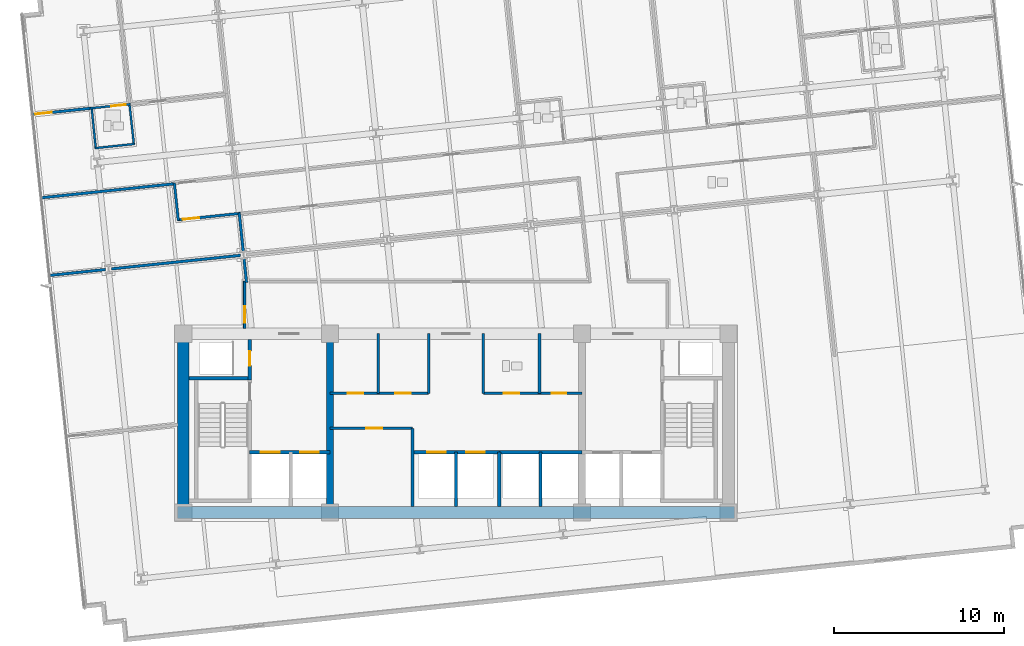
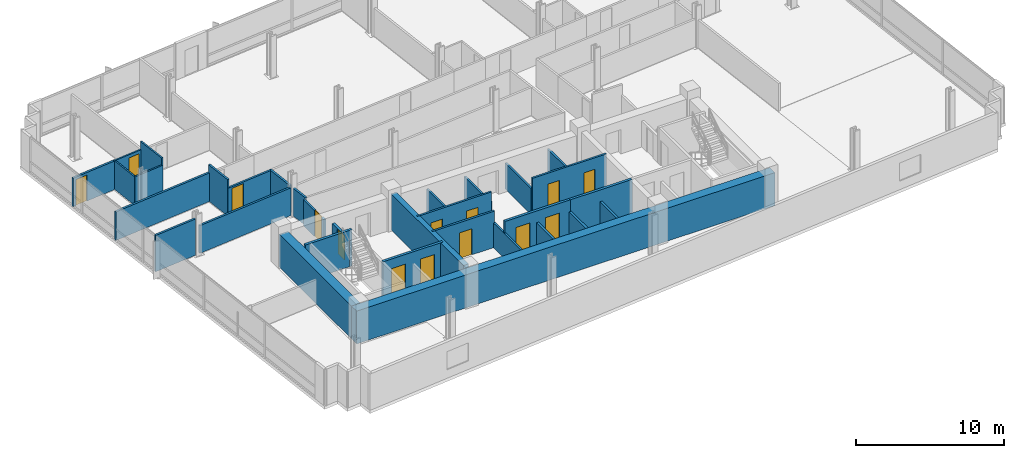
# One storey, part 10 of 18: 32 walls, 14 doors, 14 openings.
"""IFC4 building model written with IfcOpenShell, lengths in metres."""

from ifc_helpers import new_model, si_unit, direction, frame, frame_2d, origin, place, context, subcontext, project, spatial, rectangle, extrude, material, layer, layer_set, type_object, element, fill, save


model = new_model("IFC4")

# Units and contexts
model_context = context("Model", 3, precision=1e-05, world=origin(), true_north=direction((0.0, 1.0)))
body_context = subcontext(model_context, "Body", "Model", "MODEL_VIEW")
ifc_project = project(units=[si_unit("LENGTHUNIT", "METRE"), si_unit("AREAUNIT", "SQUARE_METRE"), si_unit("VOLUMEUNIT", "CUBIC_METRE"), si_unit("PLANEANGLEUNIT", "RADIAN"), si_unit("MASSUNIT", "GRAM", prefix="KILO")], contexts=[model_context])

# Site, building, storey
site_placement = place(None, origin())
site = spatial("IfcSite", under=ifc_project, at=site_placement, CompositionType="ELEMENT")
building_placement = place(site_placement, origin())
building = spatial("IfcBuilding", under=site, at=building_placement, Name="Solmavex Isthmus Hotel", CompositionType="ELEMENT")
storey_placement = place(building_placement, frame((0.0, 0.0, 127.050048828125)))
storey = spatial("IfcBuildingStorey", under=building, at=storey_placement, Name="L34", CompositionType="ELEMENT", Elevation=127.050048828125)

# Wall, opening, door
ifc_material_1 = material(Name="Gypsum plasterboard lining", Category="gypsum")
ifc_layer_1 = layer(ifc_material_1, 0.159912109375)
ifc_layer_set_1 = layer_set([ifc_layer_1], Name="Gypsum plasterboard lining")
wall_type_1 = type_object("IfcWallType", Name="IW-COMP-160", PredefinedType="PARTITIONING", material=ifc_layer_set_1)
wall_1_placement = place(storey_placement, frame((-7.39990234375, -8.050048828125, 0.0), z_axis=(0.0, 0.0, 1.0), x_axis=(1.0, 0.0, 0.0)))
wall_1 = element("IfcWall", 1, at=wall_1_placement, inside=storey, type_object=wall_type_1, Name="Interior Partition Wall W-L34-REC-PLL-N", PredefinedType="PARTITIONING", context=body_context, shape_type="SweptSolid", body=[
    extrude(rectangle(XDim=4.849853515625, YDim=0.159912109375, at=frame_2d((2.4248046875, 0.0))), origin(), (0.0, 0.0, 1.0), 3.0),
])
opening_1_placement = place(wall_1_placement, frame((2.125, 0.0, 0.0)))
opening_1 = element("IfcOpeningElement", 2, at=opening_1_placement, cuts=wall_1, Name="Opening ID-C095", PredefinedType="OPENING", context=body_context, shape_type="SweptSolid", body=[
    extrude(rectangle(XDim=0.949951171875, YDim=2.14990234375, at=frame_2d((0.47509765625, 1.074951171875))), frame((0.0, 0.08984375, 0.0), z_axis=(0.0, -1.0, 0.0), x_axis=(1.0, 0.0, 0.0)), (0.0, 0.0, 1.0), 0.179931640625),
])
ifc_material_2 = material(Name="Hardwood timber", Category="wood")
door_type_1 = type_object("IfcDoorType", Name="IDR-FD60-0950", OperationType="NOTDEFINED", PredefinedType="DOOR", material=ifc_material_2)
door_1_placement = place(opening_1_placement, origin())
door_1 = element("IfcDoor", 3, at=door_1_placement, inside=storey, type_object=door_type_1, Name="Linen Reserve Door L34", OperationType="SINGLE_SWING_LEFT", OverallHeight=2.14990234375, OverallWidth=0.949951171875, PredefinedType="DOOR", context=body_context, shape_type="SweptSolid", body=[
    extrude(rectangle(XDim=0.949951171875, YDim=2.14990234375, at=frame_2d((0.47509765625, 1.074951171875))), frame((0.0, 0.02490234375, 0.0), z_axis=(0.0, -1.0, 0.0), x_axis=(1.0, 0.0, 0.0)), (0.0, 0.0, 1.0), 0.050048828125),
])
fill(opening_1, door_1)

# Wall
wall_2_placement = place(storey_placement, frame((-2.550048828125, -12.64990234375, 0.0), z_axis=(0.0, 0.0, 1.0), x_axis=(0.0, 1.0, 0.0)))
element("IfcWall", 4, at=wall_2_placement, inside=storey, type_object=wall_type_1, Name="Interior Partition Wall W-L34-REC-PLL-E", PredefinedType="PARTITIONING", context=body_context, shape_type="SweptSolid", body=[
    extrude(rectangle(XDim=4.599853515625, YDim=0.159912109375, at=frame_2d((2.2998046875, 0.0))), origin(), (0.0, 0.0, 1.0), 2.034912109375),
])

# Wall, opening, door
wall_3_placement = place(storey_placement, frame((-24.876708984375, 10.36376953125, 0.0), z_axis=(0.0, 0.0, 1.0), x_axis=(0.994521206634, 0.104535015934, 0.0)))
wall_3 = element("IfcWall", 5, at=wall_3_placement, inside=storey, type_object=wall_type_1, Name="Interior Partition Wall W-L34-P022", PredefinedType="PARTITIONING", context=body_context, shape_type="SweptSolid", body=[
    extrude(rectangle(XDim=3.56396484375, YDim=0.159912109375, at=frame_2d((1.781982421875, 0.0))), origin(), (0.0, 0.0, 1.0), 2.363037109375),
])
opening_2_placement = place(wall_3_placement, frame((0.2099609375, 0.0, 0.0)))
opening_2 = element("IfcOpeningElement", 6, at=opening_2_placement, cuts=wall_3, Name="Opening ID-C095", PredefinedType="OPENING", context=body_context, shape_type="SweptSolid", body=[
    extrude(rectangle(XDim=0.949951171875, YDim=2.14990234375, at=frame_2d((0.47509765625, 1.074951171875))), frame((0.0, 0.08984375, 0.0), z_axis=(0.0, -1.0, 0.0), x_axis=(1.0, 0.0, 0.0)), (0.0, 0.0, 1.0), 0.179931640625),
])
door_2_placement = place(opening_2_placement, origin())
door_2 = element("IfcDoor", 7, at=door_2_placement, inside=storey, type_object=door_type_1, Name="Premier Corner Suite Bedroom Door L34-02", OperationType="SINGLE_SWING_RIGHT", OverallHeight=2.14990234375, OverallWidth=0.949951171875, PredefinedType="DOOR", context=body_context, shape_type="SweptSolid", body=[
    extrude(rectangle(XDim=0.949951171875, YDim=2.14990234375, at=frame_2d((0.47509765625, 1.074951171875))), frame((0.0, 0.02490234375, 0.0), z_axis=(0.0, -1.0, 0.0), x_axis=(1.0, 0.0, 0.0)), (0.0, 0.0, 1.0), 0.050048828125),
])
fill(opening_2, door_2)

# Walls
wall_4_placement = place(storey_placement, frame((-16.47802734375, 6.301513671875, 0.0), z_axis=(0.0, 0.0, 1.0), x_axis=(-0.994519786396, -0.104548526856, 0.0)))
element("IfcWall", 8, at=wall_4_placement, inside=storey, type_object=wall_type_1, Name="Interior Partition Wall W-L34-P029", PredefinedType="PARTITIONING", context=body_context, shape_type="SweptSolid", body=[
    extrude(rectangle(XDim=7.927978515625, YDim=0.159912109375, at=frame_2d((3.9638671875, 0.0))), origin(), (0.0, 0.0, 1.0), 2.363037109375),
])
wall_5_placement = place(storey_placement, frame((-12.718994140625, 4.594970703125, 0.0), z_axis=(0.0, 0.0, 1.0), x_axis=(0.104569435529, -0.994517588157, 0.0)))
element("IfcWall", 9, at=wall_5_placement, inside=storey, type_object=wall_type_1, Name="Interior Partition Wall W-L34-P059", PredefinedType="PARTITIONING", context=body_context, shape_type="SweptSolid", body=[
    extrude(rectangle(XDim=2.313720703125, YDim=0.159912109375, at=frame_2d((1.15673828125, 0.0))), origin(), (0.0, 0.0, 1.0), 2.28955078125),
])
wall_6_placement = place(storey_placement, frame((-20.558349609375, 1.267333984375, 0.0), z_axis=(0.0, 0.0, 1.0), x_axis=(-0.99451904707, -0.10455555946, 0.0)))
element("IfcWall", 10, at=wall_6_placement, inside=storey, type_object=wall_type_1, Name="Interior Partition Wall W-L34-P060", PredefinedType="PARTITIONING", context=body_context, shape_type="SweptSolid", body=[
    extrude(rectangle(XDim=3.34375, YDim=0.159912109375, at=frame_2d((1.671875, 0.0))), origin(), (0.0, 0.0, 1.0), 3.0),
])
wall_7_placement = place(storey_placement, frame((-12.634033203125, 2.10009765625, 0.0), z_axis=(0.0, 0.0, 1.0), x_axis=(-0.994524056968, -0.104507894972, 0.0)))
element("IfcWall", 11, at=wall_7_placement, inside=storey, type_object=wall_type_1, Name="Interior Partition Wall W-L34-P061", PredefinedType="PARTITIONING", context=body_context, shape_type="SweptSolid", body=[
    extrude(rectangle(XDim=7.61572265625, YDim=0.159912109375, at=frame_2d((3.807861328125, 0.0))), origin(), (0.0, 0.0, 1.0), 2.28955078125),
])
wall_8_placement = place(storey_placement, frame((-12.289794921875, 0.51025390625, 0.0), z_axis=(0.0, 0.0, 1.0), x_axis=(-0.104534854339, 0.994521223619, 0.0)))
element("IfcWall", 12, at=wall_8_placement, inside=storey, type_object=wall_type_1, Name="Interior Partition Wall W-L34-P065", PredefinedType="PARTITIONING", context=body_context, shape_type="SweptSolid", body=[
    extrude(rectangle(XDim=1.44091796875, YDim=0.159912109375, at=frame_2d((0.720458984375, 0.0))), origin(), (0.0, 0.0, 1.0), 2.28955078125),
])

# Wall, openings, doors
ifc_layer_2 = layer(ifc_material_1, 0.14990234375)
ifc_layer_set_2 = layer_set([ifc_layer_2], Name="Gypsum plasterboard lining")
wall_type_2 = type_object("IfcWallType", Name="IW-CORR-150", PredefinedType="PARTITIONING", material=ifc_layer_set_2)
wall_9_placement = place(storey_placement, frame((-7.39990234375, -6.0, 0.0), z_axis=(0.0, 0.0, 1.0), x_axis=(1.0, 0.0, 0.0)))
wall_9 = element("IfcWall", 13, at=wall_9_placement, inside=storey, type_object=wall_type_2, Name="Interior Partition Wall W-L34-BOH-WS", PredefinedType="PARTITIONING", context=body_context, shape_type="SweptSolid", body=[
    extrude(rectangle(XDim=5.7998046875, YDim=0.14990234375, at=frame_2d((2.89990234375, 0.0))), origin(), (0.0, 0.0, 1.0), 3.0),
])
opening_3_placement = place(wall_9_placement, frame((1.050048828125, 0.0, 0.0)))
opening_3 = element("IfcOpeningElement", 14, at=opening_3_placement, cuts=wall_9, Name="Opening ID-C090", PredefinedType="OPENING", context=body_context, shape_type="SweptSolid", body=[
    extrude(rectangle(XDim=0.89990234375, YDim=2.10009765625, at=frame_2d((0.449951171875, 1.050048828125))), frame((0.0, 0.0849609375, 0.0), z_axis=(0.0, -1.0, 0.0), x_axis=(1.0, 0.0, 0.0)), (0.0, 0.0, 1.0), 0.169921875),
])
opening_4_placement = place(wall_9_placement, frame((3.85009765625, 0.0, 0.0)))
opening_4 = element("IfcOpeningElement", 15, at=opening_4_placement, cuts=wall_9, Name="Opening ID-C090", PredefinedType="OPENING", context=body_context, shape_type="SweptSolid", body=[
    extrude(rectangle(XDim=0.89990234375, YDim=2.10009765625, at=frame_2d((0.449951171875, 1.050048828125))), frame((0.0, 0.0849609375, 0.0), z_axis=(0.0, -1.0, 0.0), x_axis=(1.0, 0.0, 0.0)), (0.0, 0.0, 1.0), 0.169921875),
])
door_type_2 = type_object("IfcDoorType", Name="IDR-FD60-0900", OperationType="NOTDEFINED", PredefinedType="DOOR", material=ifc_material_2)
door_3_placement = place(opening_3_placement, frame((0.89990234375, 0.0, 0.0), z_axis=(0.0, 0.0, 1.0), x_axis=(-1.0, 0.0, 0.0)))
door_3 = element("IfcDoor", 16, at=door_3_placement, inside=storey, type_object=door_type_2, Name="Linen Room Door L34", OperationType="SINGLE_SWING_LEFT", OverallHeight=2.10009765625, OverallWidth=0.89990234375, PredefinedType="DOOR", context=body_context, shape_type="SweptSolid", body=[
    extrude(rectangle(XDim=0.89990234375, YDim=2.10009765625, at=frame_2d((0.449951171875, 1.050048828125))), frame((0.0, 0.02490234375, 0.0), z_axis=(0.0, -1.0, 0.0), x_axis=(1.0, 0.0, 0.0)), (0.0, 0.0, 1.0), 0.050048828125),
])
fill(opening_3, door_3)
door_4_placement = place(opening_4_placement, frame((0.89990234375, 0.0, 0.0), z_axis=(0.0, 0.0, 1.0), x_axis=(-1.0, 0.0, 0.0)))
door_4 = element("IfcDoor", 17, at=door_4_placement, inside=storey, type_object=door_type_2, Name="Ice Pantry Door L34", OperationType="SINGLE_SWING_RIGHT", OverallHeight=2.10009765625, OverallWidth=0.89990234375, PredefinedType="DOOR", context=body_context, shape_type="SweptSolid", body=[
    extrude(rectangle(XDim=0.89990234375, YDim=2.10009765625, at=frame_2d((0.449951171875, 1.050048828125))), frame((0.0, 0.02490234375, 0.0), z_axis=(0.0, -1.0, 0.0), x_axis=(1.0, 0.0, 0.0)), (0.0, 0.0, 1.0), 0.050048828125),
])
fill(opening_4, door_4)

# Wall
wall_10_placement = place(storey_placement, frame((-1.60009765625, -6.0, 0.0), z_axis=(0.0, 0.0, 1.0), x_axis=(0.0, 1.0, 0.0)))
element("IfcWall", 18, at=wall_10_placement, inside=storey, type_object=wall_type_2, Name="Interior Partition Wall W-L34-BOH-WE", PredefinedType="PARTITIONING", context=body_context, shape_type="SweptSolid", body=[
    extrude(rectangle(XDim=3.5, YDim=0.14990234375, at=frame_2d((1.75, 0.0))), origin(), (0.0, 0.0, 1.0), 2.14501953125),
])

# Wall, openings, doors
wall_11_placement = place(storey_placement, frame((1.60009765625, -6.0, 0.0), z_axis=(0.0, 0.0, 1.0), x_axis=(1.0, 0.0, 0.0)))
wall_11 = element("IfcWall", 19, at=wall_11_placement, inside=storey, type_object=wall_type_2, Name="Interior Partition Wall W-L34-BOH-ES", PredefinedType="PARTITIONING", context=body_context, shape_type="SweptSolid", body=[
    extrude(rectangle(XDim=5.7998046875, YDim=0.14990234375, at=frame_2d((2.89990234375, 0.0))), origin(), (0.0, 0.0, 1.0), 3.0),
])
opening_5_placement = place(wall_11_placement, frame((1.199951171875, 0.0, 0.0)))
opening_5 = element("IfcOpeningElement", 20, at=opening_5_placement, cuts=wall_11, Name="Opening ID-C090", PredefinedType="OPENING", context=body_context, shape_type="SweptSolid", body=[
    extrude(rectangle(XDim=0.89990234375, YDim=2.10009765625, at=frame_2d((0.449951171875, 1.050048828125))), frame((0.0, 0.0849609375, 0.0), z_axis=(0.0, -1.0, 0.0), x_axis=(1.0, 0.0, 0.0)), (0.0, 0.0, 1.0), 0.169921875),
])
opening_6_placement = place(wall_11_placement, frame((4.02490234375, 0.0, 0.0)))
opening_6 = element("IfcOpeningElement", 21, at=opening_6_placement, cuts=wall_11, Name="Opening ID-R085", PredefinedType="OPENING", context=body_context, shape_type="SweptSolid", body=[
    extrude(rectangle(XDim=0.85009765625, YDim=2.050048828125, at=frame_2d((0.425048828125, 1.02490234375))), frame((0.0, 0.0849609375, 0.0), z_axis=(0.0, -1.0, 0.0), x_axis=(1.0, 0.0, 0.0)), (0.0, 0.0, 1.0), 0.169921875),
])
ifc_material_3 = material(Name="Steel ASTM A500 Grade C", Category="steel")
door_type_3 = type_object("IfcDoorType", Name="IDR-FD60-0850", OperationType="NOTDEFINED", PredefinedType="DOOR", material=ifc_material_3)
door_5_placement = place(opening_6_placement, frame((0.85009765625, 0.0, 0.0), z_axis=(0.0, 0.0, 1.0), x_axis=(-1.0, 0.0, 0.0)))
door_5 = element("IfcDoor", 22, at=door_5_placement, inside=storey, type_object=door_type_3, Name="IT Room Door L34", OperationType="SINGLE_SWING_RIGHT", OverallHeight=2.050048828125, OverallWidth=0.85009765625, PredefinedType="DOOR", context=body_context, shape_type="SweptSolid", body=[
    extrude(rectangle(XDim=0.85009765625, YDim=2.050048828125, at=frame_2d((0.425048828125, 1.02490234375))), frame((0.0, 0.02490234375, 0.0), z_axis=(0.0, -1.0, 0.0), x_axis=(1.0, 0.0, 0.0)), (0.0, 0.0, 1.0), 0.050048828125),
])
fill(opening_6, door_5)
door_6_placement = place(opening_5_placement, frame((0.89990234375, 0.0, 0.0), z_axis=(0.0, 0.0, 1.0), x_axis=(-1.0, 0.0, 0.0)))
door_6 = element("IfcDoor", 23, at=door_6_placement, inside=storey, type_object=door_type_2, Name="Staff Restroom Door L34", OperationType="SINGLE_SWING_LEFT", OverallHeight=2.10009765625, OverallWidth=0.89990234375, PredefinedType="DOOR", context=body_context, shape_type="SweptSolid", body=[
    extrude(rectangle(XDim=0.89990234375, YDim=2.10009765625, at=frame_2d((0.449951171875, 1.050048828125))), frame((0.0, 0.02490234375, 0.0), z_axis=(0.0, -1.0, 0.0), x_axis=(1.0, 0.0, 0.0)), (0.0, 0.0, 1.0), 0.050048828125),
])
fill(opening_5, door_6)

# Wall
wall_12_placement = place(storey_placement, frame((1.60009765625, -6.0, 0.0), z_axis=(0.0, 0.0, 1.0), x_axis=(0.0, 1.0, 0.0)))
element("IfcWall", 24, at=wall_12_placement, inside=storey, type_object=wall_type_2, Name="Interior Partition Wall W-L34-BOH-EW", PredefinedType="PARTITIONING", context=body_context, shape_type="SweptSolid", body=[
    extrude(rectangle(XDim=3.5, YDim=0.14990234375, at=frame_2d((1.75, 0.0))), origin(), (0.0, 0.0, 1.0), 2.14501953125),
])

# Wall, opening, door
wall_13_placement = place(storey_placement, frame((-12.63330078125, 4.563720703125, 0.0), z_axis=(0.0, 0.0, 1.0), x_axis=(-0.994525920558, -0.104490159046, 0.0)))
wall_13 = element("IfcWall", 25, at=wall_13_placement, inside=storey, type_object=wall_type_2, Name="Interior Partition Wall W-L34-P010", PredefinedType="PARTITIONING", context=body_context, shape_type="SweptSolid", body=[
    extrude(rectangle(XDim=3.721923828125, YDim=0.14990234375, at=frame_2d((1.86083984375, 0.0))), origin(), (0.0, 0.0, 1.0), 2.28955078125),
])
opening_7_placement = place(wall_13_placement, frame((2.456787109375, 0.0, 0.0)))
opening_7 = element("IfcOpeningElement", 26, at=opening_7_placement, cuts=wall_13, Name="Opening ID-C095", PredefinedType="OPENING", context=body_context, shape_type="SweptSolid", body=[
    extrude(rectangle(XDim=0.949951171875, YDim=2.14990234375, at=frame_2d((0.47509765625, 1.074951171875))), frame((0.0, 0.0849609375, 0.0), z_axis=(0.0, -1.0, 0.0), x_axis=(1.0, 0.0, 0.0)), (0.0, 0.0, 1.0), 0.169921875),
])
door_7_placement = place(opening_7_placement, frame((0.949951171875, 0.0, 0.0), z_axis=(0.0, 0.0, 1.0), x_axis=(-1.0, 0.0, 0.0)))
door_7 = element("IfcDoor", 27, at=door_7_placement, inside=storey, type_object=door_type_1, Name="Wellness Treatment Room Door L34-15", OperationType="SINGLE_SWING_LEFT", OverallHeight=2.14990234375, OverallWidth=0.949951171875, PredefinedType="DOOR", context=body_context, shape_type="SweptSolid", body=[
    extrude(rectangle(XDim=0.949951171875, YDim=2.14990234375, at=frame_2d((0.47509765625, 1.074951171875))), frame((0.0, 0.02490234375, 0.0), z_axis=(0.0, -1.0, 0.0), x_axis=(1.0, 0.0, 0.0)), (0.0, 0.0, 1.0), 0.050048828125),
])
fill(opening_7, door_7)

# Wall
wall_14_placement = place(storey_placement, frame((-16.291015625, 4.13916015625, 0.0), z_axis=(0.0, 0.0, 1.0), x_axis=(-0.104512255544, 0.994523598735, 0.0)))
element("IfcWall", 28, at=wall_14_placement, inside=storey, type_object=wall_type_2, Name="Interior Partition Wall W-L34-P011", PredefinedType="PARTITIONING", context=body_context, shape_type="SweptSolid", body=[
    extrude(rectangle(XDim=2.2099609375, YDim=0.14990234375, at=frame_2d((1.10498046875, 0.0))), origin(), (0.0, 0.0, 1.0), 3.0),
])

# Wall, opening, door
wall_15_placement = place(storey_placement, frame((-12.39990234375, -2.18994140625, 0.0), z_axis=(0.0, 0.0, 1.0), x_axis=(0.0, 1.0, 0.0)))
wall_15 = element("IfcWall", 29, at=wall_15_placement, inside=storey, type_object=wall_type_2, Name="Interior Partition Wall W-L34-P016", PredefinedType="PARTITIONING", context=body_context, shape_type="SweptSolid", body=[
    extrude(rectangle(XDim=2.780029296875, YDim=0.14990234375, at=frame_2d((1.39013671875, 0.0))), origin(), (0.0, 0.0, 1.0), 2.14501953125),
])
opening_8_placement = place(wall_15_placement, frame((0.347900390625, 0.0, 0.0)))
opening_8 = element("IfcOpeningElement", 30, at=opening_8_placement, cuts=wall_15, Name="Opening ID-C095", PredefinedType="OPENING", context=body_context, shape_type="SweptSolid", body=[
    extrude(rectangle(XDim=0.949951171875, YDim=2.14990234375, at=frame_2d((0.47509765625, 1.074951171875))), frame((0.0, 0.0849609375, 0.0), z_axis=(0.0, -1.0, 0.0), x_axis=(1.0, 0.0, 0.0)), (0.0, 0.0, 1.0), 0.169921875),
])
door_8_placement = place(opening_8_placement, frame((0.949951171875, 0.0, 0.0), z_axis=(0.0, 0.0, 1.0), x_axis=(-1.0, 0.0, 0.0)))
door_8 = element("IfcDoor", 31, at=door_8_placement, inside=storey, type_object=door_type_1, Name="Executive Boardroom Door L34-18", OperationType="SINGLE_SWING_RIGHT", OverallHeight=2.14990234375, OverallWidth=0.949951171875, PredefinedType="DOOR", context=body_context, shape_type="SweptSolid", body=[
    extrude(rectangle(XDim=0.949951171875, YDim=2.14990234375, at=frame_2d((0.47509765625, 1.074951171875))), frame((0.0, 0.02490234375, 0.0), z_axis=(0.0, -1.0, 0.0), x_axis=(1.0, 0.0, 0.0)), (0.0, 0.0, 1.0), 0.050048828125),
])
fill(opening_8, door_8)

# Walls
ifc_layer_3 = layer(ifc_material_1, 0.1201171875)
ifc_layer_set_3 = layer_set([ifc_layer_3], Name="Gypsum plasterboard lining")
wall_type_3 = type_object("IfcWallType", Name="IW-PART-120", PredefinedType="PARTITIONING", material=ifc_layer_set_3)
for number, where, z_axis, x_axis, name in (
    (32, (-4.550048828125, -6.0, 0.0), (0.0, 0.0, 1.0), (0.0, 1.0, 0.0), "Interior Partition Wall W-L34-BOH-WM2"),
    (33, (4.89990234375, -6.0, 0.0), (0.0, 0.0, 1.0), (0.0, 1.0, 0.0), "Interior Partition Wall W-L34-BOH-EM2"),
):
    element("IfcWall", number, at=place(storey_placement, frame(where, z_axis=z_axis, x_axis=x_axis)), inside=storey, type_object=wall_type_3, Name=name, PredefinedType="PARTITIONING", context=body_context, shape_type="SweptSolid", body=[
        extrude(rectangle(XDim=3.5, YDim=0.14990234375, at=frame_2d((1.75, 0.0))), origin(), (0.0, 0.0, 1.0), 2.14501953125),
    ])
wall_16_placement = place(storey_placement, frame((-21.3759765625, 10.77197265625, 0.0), z_axis=(0.0, 0.0, 1.0), x_axis=(0.100269653479, -0.994960299003, 0.0)))
element("IfcWall", 34, at=wall_16_placement, inside=storey, type_object=wall_type_3, Name="Interior Partition Wall W-L34-P024", PredefinedType="PARTITIONING", context=body_context, shape_type="SweptSolid", body=[
    extrude(rectangle(XDim=2.429931640625, YDim=0.1201171875, at=frame_2d((1.21484375, 0.0))), origin(), (0.0, 0.0, 1.0), 2.363037109375),
])
wall_17_placement = place(storey_placement, frame((-21.176025390625, 8.3896484375, 0.0), z_axis=(0.0, 0.0, 1.0), x_axis=(0.994516930255, 0.104575692382, 0.0)))
element("IfcWall", 35, at=wall_17_placement, inside=storey, type_object=wall_type_3, Name="Interior Partition Wall W-L34-P025", PredefinedType="PARTITIONING", context=body_context, shape_type="SweptSolid", body=[
    extrude(rectangle(XDim=2.329833984375, YDim=0.1201171875, at=frame_2d((1.1650390625, 0.0))), origin(), (0.0, 0.0, 1.0), 2.363037109375),
])
wall_18_placement = place(storey_placement, frame((-18.894287109375, 8.58935546875, 0.0), z_axis=(0.0, 0.0, 1.0), x_axis=(-0.108711078051, 0.994073388392, 0.0)))
element("IfcWall", 36, at=wall_18_placement, inside=storey, type_object=wall_type_3, Name="Interior Partition Wall W-L34-P026", PredefinedType="PARTITIONING", context=body_context, shape_type="SweptSolid", body=[
    extrude(rectangle(XDim=2.429931640625, YDim=0.1201171875, at=frame_2d((1.21484375, 0.0))), origin(), (0.0, 0.0, 1.0), 3.0),
])

# Wall, opening, door
wall_19_placement = place(storey_placement, frame((-19.1044921875, 10.970458984375, 0.0), z_axis=(0.0, 0.0, 1.0), x_axis=(-0.994516727228, -0.104577623149, 0.0)))
wall_19 = element("IfcWall", 37, at=wall_19_placement, inside=storey, type_object=wall_type_3, Name="Interior Partition Wall W-L34-P031", PredefinedType="PARTITIONING", context=body_context, shape_type="SweptSolid", body=[
    extrude(rectangle(XDim=2.371826171875, YDim=0.1201171875, at=frame_2d((1.18603515625, 0.0))), origin(), (0.0, 0.0, 1.0), 2.363037109375),
])
opening_9_placement = place(wall_19_placement, frame((0.27978515625, 0.0, 0.0)))
opening_9 = element("IfcOpeningElement", 38, at=opening_9_placement, cuts=wall_19, Name="Opening ID-U085", PredefinedType="OPENING", context=body_context, shape_type="SweptSolid", body=[
    extrude(rectangle(XDim=0.85009765625, YDim=2.10009765625, at=frame_2d((0.425048828125, 1.050048828125))), frame((0.0, 0.070068359375, 0.0), z_axis=(0.0, -1.0, 0.0), x_axis=(1.0, 0.0, 0.0)), (0.0, 0.0, 1.0), 0.14013671875),
])
door_type_4 = type_object("IfcDoorType", Name="IDR-UNR-0850", OperationType="NOTDEFINED", PredefinedType="DOOR", material=ifc_material_2)
door_9_placement = place(opening_9_placement, frame((0.85009765625, 0.0, 0.0), z_axis=(0.0, 0.0, 1.0), x_axis=(-1.0, 0.0, 0.0)))
door_9 = element("IfcDoor", 39, at=door_9_placement, inside=storey, type_object=door_type_4, Name="En-suite Bathroom Door L34-04", OperationType="SINGLE_SWING_RIGHT", OverallHeight=2.10009765625, OverallWidth=0.85009765625, PredefinedType="DOOR", context=body_context, shape_type="SweptSolid", body=[
    extrude(rectangle(XDim=0.85009765625, YDim=2.10009765625, at=frame_2d((0.425048828125, 1.050048828125))), frame((0.0, 0.02490234375, 0.0), z_axis=(0.0, -1.0, 0.0), x_axis=(1.0, 0.0, 0.0)), (0.0, 0.0, 1.0), 0.050048828125),
])
fill(opening_9, door_9)

# Walls
ifc_material_4 = material(Name="Concrete C40/50", Category="concrete")
ifc_layer_4 = layer(ifc_material_4, 0.179931640625)
ifc_layer_set_4 = layer_set([ifc_layer_4], Name="Concrete C40/50")
wall_type_4 = type_object("IfcWallType", Name="IW-SHAFT-180", PredefinedType="PARTITIONING", material=ifc_layer_set_4)
for number, where, z_axis, x_axis, name in (
    (40, (0.0, -12.64990234375, 0.0), (0.0, 0.0, 1.0), (0.0, 1.0, 0.0), "Interior Partition Wall W-L34-SH-PLM-M"),
    (41, (4.949951171875, -12.64990234375, 0.0), (0.0, 0.0, 1.0), (0.0, 1.0, 0.0), "Interior Partition Wall W-L34-SH-PLH-M"),
):
    element("IfcWall", number, at=place(storey_placement, frame(where, z_axis=z_axis, x_axis=x_axis)), inside=storey, type_object=wall_type_4, Name=name, PredefinedType="PARTITIONING", context=body_context, shape_type="SweptSolid", body=[
        extrude(rectangle(XDim=3.199951171875, YDim=0.179931640625, at=frame_2d((1.60009765625, 0.0))), origin(), (0.0, 0.0, 1.0), 2.034912109375),
    ])

# Wall, opening, door
ifc_layer_5 = layer(ifc_material_4, 0.199951171875)
ifc_layer_set_5 = layer_set([ifc_layer_5], Name="Concrete C40/50")
wall_type_5 = type_object("IfcWallType", Name="IW-SHAFT-200", PredefinedType="PARTITIONING", material=ifc_layer_set_5)
wall_20_placement = place(storey_placement, frame((-12.10009765625, -5.199951171875, 0.0), z_axis=(0.0, 0.0, 1.0), x_axis=(0.0, 1.0, 0.0)))
wall_20 = element("IfcWall", 42, at=wall_20_placement, inside=storey, type_object=wall_type_5, Name="Interior Partition Wall W-L34-RSW-E", PredefinedType="PARTITIONING", context=body_context, shape_type="SweptSolid", body=[
    extrude(rectangle(XDim=2.349853515625, YDim=0.199951171875, at=frame_2d((1.1748046875, 0.0))), origin(), (0.0, 0.0, 1.0), 2.14501953125),
])
opening_10_placement = place(wall_20_placement, frame((0.824951171875, 0.0, 0.0)))
opening_10 = element("IfcOpeningElement", 43, at=opening_10_placement, cuts=wall_20, Name="Opening ID-R085", PredefinedType="OPENING", context=body_context, shape_type="SweptSolid", body=[
    extrude(rectangle(XDim=0.85009765625, YDim=2.050048828125, at=frame_2d((0.425048828125, 1.02490234375))), frame((0.0, 0.10986328125, 0.0), z_axis=(0.0, -1.0, 0.0), x_axis=(1.0, 0.0, 0.0)), (0.0, 0.0, 1.0), 0.219970703125),
])
door_10_placement = place(opening_10_placement, origin())
door_10 = element("IfcDoor", 44, at=door_10_placement, inside=storey, type_object=door_type_3, Name="Electrical Riser Door L34", OperationType="SINGLE_SWING_RIGHT", OverallHeight=2.050048828125, OverallWidth=0.85009765625, PredefinedType="DOOR", context=body_context, shape_type="SweptSolid", body=[
    extrude(rectangle(XDim=0.85009765625, YDim=2.050048828125, at=frame_2d((0.425048828125, 1.02490234375))), frame((0.0, 0.02490234375, 0.0), z_axis=(0.0, -1.0, 0.0), x_axis=(1.0, 0.0, 0.0)), (0.0, 0.0, 1.0), 0.050048828125),
])
fill(opening_10, door_10)

# Wall, openings, doors
wall_21_placement = place(storey_placement, frame((-12.10009765625, -9.449951171875, 0.0), z_axis=(0.0, 0.0, 1.0), x_axis=(1.0, 0.0, 0.0)))
wall_21 = element("IfcWall", 45, at=wall_21_placement, inside=storey, type_object=wall_type_5, Name="Interior Partition Wall W-L34-FFLW-S", PredefinedType="PARTITIONING", context=body_context, shape_type="SweptSolid", body=[
    extrude(rectangle(XDim=4.7001953125, YDim=0.199951171875, at=frame_2d((2.35009765625, 0.0))), origin(), (0.0, 0.0, 1.0), 3.0),
])
opening_11_placement = place(wall_21_placement, frame((0.64990234375, 0.0, 0.0)))
opening_11 = element("IfcOpeningElement", 46, at=opening_11_placement, cuts=wall_21, Name="Opening LD-FF", PredefinedType="OPENING", context=body_context, shape_type="SweptSolid", body=[
    extrude(rectangle(XDim=1.10009765625, YDim=2.199951171875, at=frame_2d((0.550048828125, 1.10009765625))), frame((0.0, 0.10986328125, 0.0), z_axis=(0.0, -1.0, 0.0), x_axis=(1.0, 0.0, 0.0)), (0.0, 0.0, 1.0), 0.219970703125),
])
opening_12_placement = place(wall_21_placement, frame((2.949951171875, 0.0, 0.0)))
opening_12 = element("IfcOpeningElement", 47, at=opening_12_placement, cuts=wall_21, Name="Opening LD-SV", PredefinedType="OPENING", context=body_context, shape_type="SweptSolid", body=[
    extrude(rectangle(XDim=1.10009765625, YDim=2.199951171875, at=frame_2d((0.550048828125, 1.10009765625))), frame((0.0, 0.10986328125, 0.0), z_axis=(0.0, -1.0, 0.0), x_axis=(1.0, 0.0, 0.0)), (0.0, 0.0, 1.0), 0.219970703125),
])
ifc_material_5 = material(Name="Stainless steel 316", Category="steel")
door_type_5 = type_object("IfcDoorType", Name="LDR-FF-1100", OperationType="NOTDEFINED", PredefinedType="DOOR", material=ifc_material_5)
door_11_placement = place(opening_11_placement, origin())
door_11 = element("IfcDoor", 48, at=door_11_placement, inside=storey, type_object=door_type_5, Name="Lift Landing Door FFL-1 L34", OperationType="SLIDING_TO_LEFT", OverallHeight=2.199951171875, OverallWidth=1.10009765625, PredefinedType="DOOR", context=body_context, shape_type="SweptSolid", body=[
    extrude(rectangle(XDim=1.10009765625, YDim=2.199951171875, at=frame_2d((0.550048828125, 1.10009765625))), frame((0.0, 0.02490234375, 0.0), z_axis=(0.0, -1.0, 0.0), x_axis=(1.0, 0.0, 0.0)), (0.0, 0.0, 1.0), 0.050048828125),
])
fill(opening_11, door_11)
door_type_6 = type_object("IfcDoorType", Name="LDR-SV-1100", OperationType="NOTDEFINED", PredefinedType="DOOR", material=ifc_material_5)
door_12_placement = place(opening_12_placement, origin())
door_12 = element("IfcDoor", 49, at=door_12_placement, inside=storey, type_object=door_type_6, Name="Lift Landing Door SVL-1 L34", OperationType="SLIDING_TO_RIGHT", OverallHeight=2.199951171875, OverallWidth=1.10009765625, PredefinedType="DOOR", context=body_context, shape_type="SweptSolid", body=[
    extrude(rectangle(XDim=1.10009765625, YDim=2.199951171875, at=frame_2d((0.550048828125, 1.10009765625))), frame((0.0, 0.02490234375, 0.0), z_axis=(0.0, -1.0, 0.0), x_axis=(1.0, 0.0, 0.0)), (0.0, 0.0, 1.0), 0.050048828125),
])
fill(opening_12, door_12)

wall_22_placement = place(storey_placement, frame((-2.550048828125, -9.449951171875, 0.0), z_axis=(0.0, 0.0, 1.0), x_axis=(1.0, 0.0, 0.0)))
wall_22 = element("IfcWall", 50, at=wall_22_placement, inside=storey, type_object=wall_type_5, Name="Interior Partition Wall W-L34-SH-PLM", PredefinedType="PARTITIONING", context=body_context, shape_type="SweptSolid", body=[
    extrude(rectangle(XDim=5.10009765625, YDim=0.199951171875, at=frame_2d((2.550048828125, 0.0))), origin(), (0.0, 0.0, 1.0), 3.0),
])
opening_13_placement = place(wall_22_placement, frame((0.85009765625, 0.0, 0.0)))
opening_13 = element("IfcOpeningElement", 51, at=opening_13_placement, cuts=wall_22, Name="Opening LD-PL", PredefinedType="OPENING", context=body_context, shape_type="SweptSolid", body=[
    extrude(rectangle(XDim=1.10009765625, YDim=2.199951171875, at=frame_2d((0.550048828125, 1.10009765625))), frame((0.0, 0.10986328125, 0.0), z_axis=(0.0, -1.0, 0.0), x_axis=(1.0, 0.0, 0.0)), (0.0, 0.0, 1.0), 0.219970703125),
])
opening_14_placement = place(wall_22_placement, frame((3.14990234375, 0.0, 0.0)))
opening_14 = element("IfcOpeningElement", 52, at=opening_14_placement, cuts=wall_22, Name="Opening LD-PL", PredefinedType="OPENING", context=body_context, shape_type="SweptSolid", body=[
    extrude(rectangle(XDim=1.10009765625, YDim=2.199951171875, at=frame_2d((0.550048828125, 1.10009765625))), frame((0.0, 0.10986328125, 0.0), z_axis=(0.0, -1.0, 0.0), x_axis=(1.0, 0.0, 0.0)), (0.0, 0.0, 1.0), 0.219970703125),
])
door_type_7 = type_object("IfcDoorType", Name="LDR-PL-1100", OperationType="NOTDEFINED", PredefinedType="DOOR", material=ifc_material_5)
door_13_placement = place(opening_13_placement, origin())
door_13 = element("IfcDoor", 53, at=door_13_placement, inside=storey, type_object=door_type_7, Name="Lift Landing Door PLM1 L34", OperationType="SLIDING_TO_RIGHT", OverallHeight=2.199951171875, OverallWidth=1.10009765625, PredefinedType="DOOR", context=body_context, shape_type="SweptSolid", body=[
    extrude(rectangle(XDim=1.10009765625, YDim=2.199951171875, at=frame_2d((0.550048828125, 1.10009765625))), frame((0.0, 0.02490234375, 0.0), z_axis=(0.0, -1.0, 0.0), x_axis=(1.0, 0.0, 0.0)), (0.0, 0.0, 1.0), 0.050048828125),
])
fill(opening_13, door_13)
door_14_placement = place(opening_14_placement, origin())
door_14 = element("IfcDoor", 54, at=door_14_placement, inside=storey, type_object=door_type_7, Name="Lift Landing Door PLM2 L34", OperationType="SLIDING_TO_RIGHT", OverallHeight=2.199951171875, OverallWidth=1.10009765625, PredefinedType="DOOR", context=body_context, shape_type="SweptSolid", body=[
    extrude(rectangle(XDim=1.10009765625, YDim=2.199951171875, at=frame_2d((0.550048828125, 1.10009765625))), frame((0.0, 0.02490234375, 0.0), z_axis=(0.0, -1.0, 0.0), x_axis=(1.0, 0.0, 0.0)), (0.0, 0.0, 1.0), 0.050048828125),
])
fill(opening_14, door_14)

# Walls
wall_23_placement = place(storey_placement, frame((2.550048828125, -12.64990234375, 0.0), z_axis=(0.0, 0.0, 1.0), x_axis=(0.0, 1.0, 0.0)))
element("IfcWall", 55, at=wall_23_placement, inside=storey, type_object=wall_type_5, Name="Interior Partition Wall W-L34-SH-PLM-E", PredefinedType="PARTITIONING", context=body_context, shape_type="SweptSolid", body=[
    extrude(rectangle(XDim=3.199951171875, YDim=0.199951171875, at=frame_2d((1.60009765625, 0.0))), origin(), (0.0, 0.0, 1.0), 2.034912109375),
])
wall_24_placement = place(storey_placement, frame((2.550048828125, -9.449951171875, 0.0), z_axis=(0.0, 0.0, 1.0), x_axis=(1.0, 0.0, 0.0)))
element("IfcWall", 56, at=wall_24_placement, inside=storey, type_object=wall_type_5, Name="Interior Partition Wall W-L34-SH-PLH", PredefinedType="PARTITIONING", context=body_context, shape_type="SweptSolid", body=[
    extrude(rectangle(XDim=4.849853515625, YDim=0.199951171875, at=frame_2d((2.4248046875, 0.0))), origin(), (0.0, 0.0, 1.0), 3.0),
])
ifc_material_6 = material(Name="Concrete C60/75", Category="concrete")
ifc_layer_6 = layer(ifc_material_6, 0.39990234375)
ifc_layer_set_6 = layer_set([ifc_layer_6], Name="Concrete C60/75")
wall_type_6 = type_object("IfcWallType", Name="WALL-CW-400M", PredefinedType="SHEAR", material=ifc_layer_set_6)
wall_25_placement = place(storey_placement, frame((-7.39990234375, -12.64990234375, 0.0), z_axis=(0.0, 0.0, 1.0), x_axis=(0.0, 1.0, 0.0)))
element("IfcWall", 57, at=wall_25_placement, inside=storey, type_object=wall_type_6, Name="Core Cross Shear Wall C1 L34", PredefinedType="SHEAR", context=body_context, shape_type="SweptSolid", body=[
    extrude(rectangle(XDim=9.7998046875, YDim=0.39990234375, at=frame_2d((4.89990234375, 0.0))), origin(), (0.0, 0.0, 1.0), 3.0),
])
ifc_layer_7 = layer(ifc_material_6, 0.699951171875)
ifc_layer_set_7 = layer_set([ifc_layer_7], Name="Concrete C60/75")
wall_type_7 = type_object("IfcWallType", Name="WALL-CW-700", PredefinedType="SHEAR", material=ifc_layer_set_7)
wall_26_placement = place(storey_placement, frame((-16.35009765625, -13.0, 0.0), z_axis=(0.0, 0.0, 1.0), x_axis=(1.0, 0.0, 0.0)))
element("IfcWall", 58, at=wall_26_placement, inside=storey, type_object=wall_type_7, Name="Core Shear Wall South L34", PredefinedType="SHEAR", context=body_context, shape_type="SweptSolid", body=[
    extrude(rectangle(XDim=32.7001953125, YDim=0.699951171875, at=frame_2d((16.35009765625, 0.0))), origin(), (0.0, 0.0, 1.0), 2.719970703125),
])
wall_27_placement = place(storey_placement, frame((-16.0, -12.64990234375, 0.0), z_axis=(0.0, 0.0, 1.0), x_axis=(0.0, 1.0, 0.0)))
element("IfcWall", 59, at=wall_27_placement, inside=storey, type_object=wall_type_7, Name="Core Shear Wall West L34", PredefinedType="SHEAR", context=body_context, shape_type="SweptSolid", body=[
    extrude(rectangle(XDim=9.7998046875, YDim=0.699951171875, at=frame_2d((4.89990234375, 0.0))), origin(), (0.0, 0.0, 1.0), 2.719970703125),
])
ifc_layer_8 = layer(ifc_material_4, 0.199951171875)
ifc_layer_set_8 = layer_set([ifc_layer_8], Name="Concrete C40/50")
wall_type_8 = type_object("IfcWallType", Name="WALL-SW-200", PredefinedType="SOLIDWALL", material=ifc_layer_set_8)
wall_28_placement = place(storey_placement, frame((-15.64990234375, -5.10009765625, 0.0), z_axis=(0.0, 0.0, 1.0), x_axis=(1.0, 0.0, 0.0)))
element("IfcWall", 60, at=wall_28_placement, inside=storey, type_object=wall_type_8, Name="Stairwell Structural Wall SW-L34-ST1-N", PredefinedType="SOLIDWALL", context=body_context, shape_type="SweptSolid", body=[
    extrude(rectangle(XDim=3.64990234375, YDim=0.199951171875, at=frame_2d((1.824951171875, 0.0))), origin(), (0.0, 0.0, 1.0), 3.0),
])

save(model, "model.ifc")
